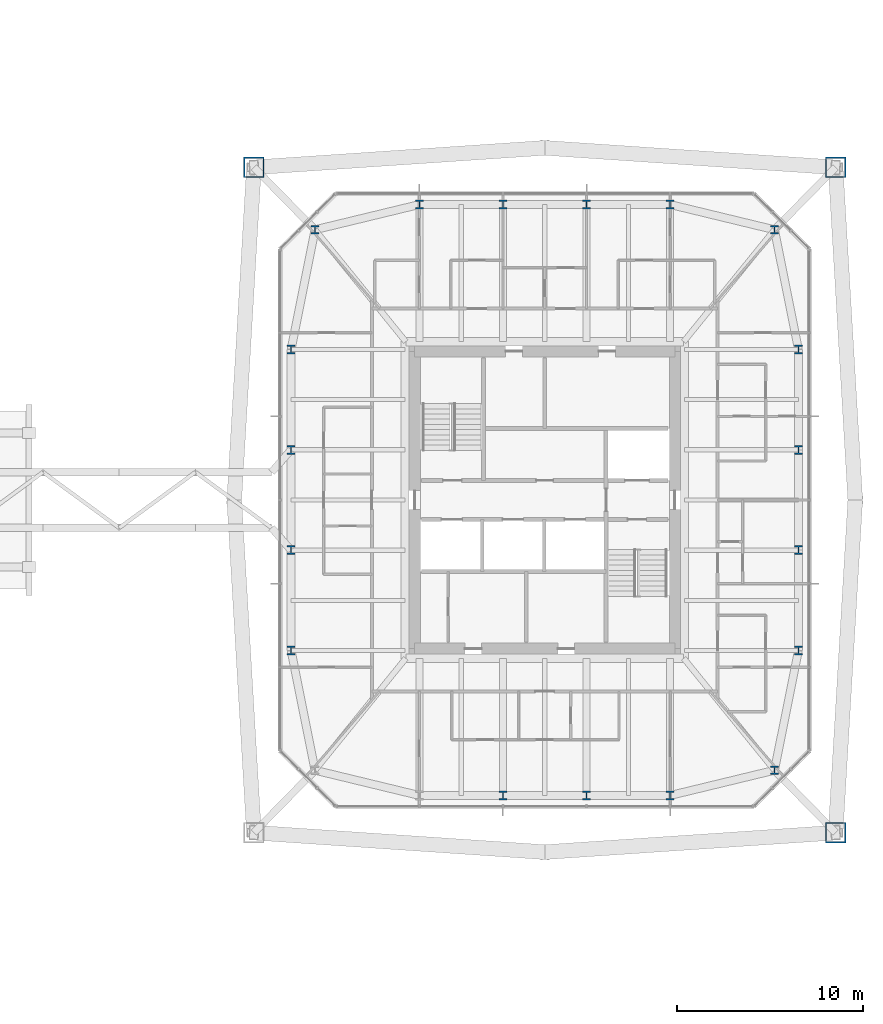
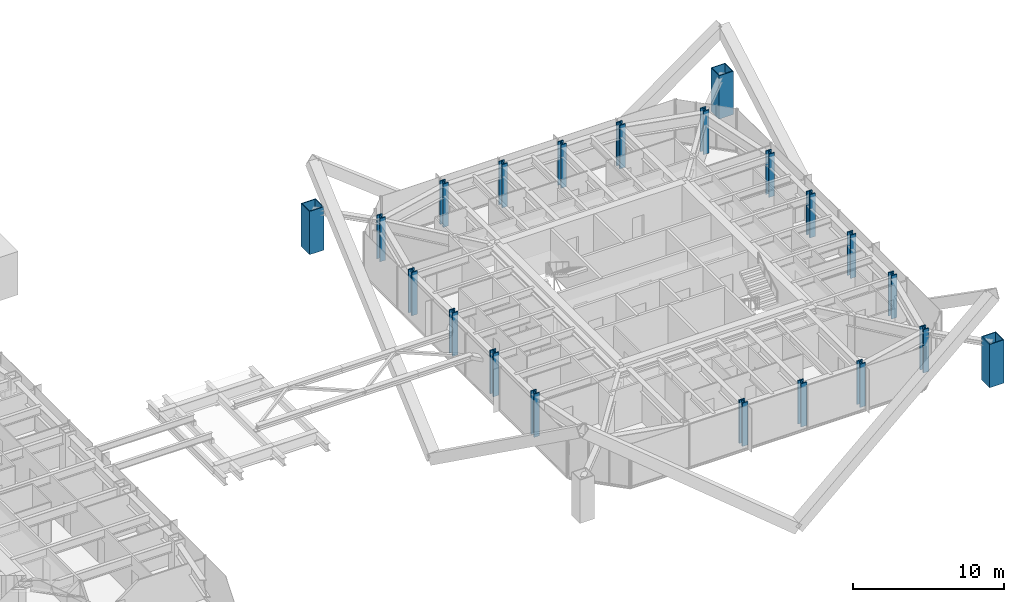
# One storey, part 2 of 27: 21 columns.
"""IFC4 building model written with IfcOpenShell, lengths in metres."""

from ifc_helpers import new_model, si_unit, direction, frame, origin, origin_2d, place, context, subcontext, project, spatial, hollow_rectangle, i_section, extrude, material, material_profile, profile_set, type_object, element, save


model = new_model("IFC4")

# Units and contexts
model_context = context("Model", 3, precision=1e-05, world=origin(), true_north=direction((0.0, 1.0)))
body_context = subcontext(model_context, "Body", "Model", "MODEL_VIEW")
ifc_project = project(units=[si_unit("LENGTHUNIT", "METRE"), si_unit("AREAUNIT", "SQUARE_METRE"), si_unit("VOLUMEUNIT", "CUBIC_METRE"), si_unit("PLANEANGLEUNIT", "RADIAN"), si_unit("MASSUNIT", "GRAM", prefix="KILO")], contexts=[model_context])

# Site, building, storey
site_placement = place(None, origin())
site = spatial("IfcSite", under=ifc_project, at=site_placement, CompositionType="ELEMENT")
building_placement = place(site_placement, origin())
building = spatial("IfcBuilding", under=site, at=building_placement, Name="Iwan Alto Co-Living Towers", CompositionType="ELEMENT")
storey_placement = place(building_placement, frame((0.0, 0.0, 94.5)))
storey = spatial("IfcBuildingStorey", under=building, at=storey_placement, Name="L25", CompositionType="ELEMENT", Elevation=94.5)

# Columns
ifc_material_1 = material(Name="Steel ASTM A572 Gr 50", Category="steel")
ifc_material_profile_1 = material_profile(ifc_material_1, hollow_rectangle(XDim=1.10009765625, YDim=1.10009765625, WallThickness=0.06005859375, at=origin_2d()), Name="BOX 1100X1100X60")
ifc_profile_set_1 = profile_set([ifc_material_profile_1], Name="Steel ASTM A572 Gr 50")
column_type_1 = type_object("IfcColumnType", Name="T2 MEGA COLUMN BOX 1100X1100X60", PredefinedType="COLUMN", material=ifc_profile_set_1)
for number, where, z_axis, x_axis, name in (
    (1, (78.64990234375, -17.89990234375, 0.0), (0.0, 0.0, 1.0), (1.0, 0.0, 0.0), "T2 mega column SE L25"),
    (2, (78.64990234375, 17.89990234375, 0.0), (0.0, 0.0, 1.0), (1.0, 0.0, 0.0), "T2 mega column NE L25"),
    (3, (47.35009765625, 17.89990234375, 0.0), (0.0, 0.0, 1.0), (1.0, 0.0, 0.0), "T2 mega column NW L25"),
):
    element("IfcColumn", number, at=place(storey_placement, frame(where, z_axis=z_axis, x_axis=x_axis)), inside=storey, type_object=column_type_1, Name=name, PredefinedType="COLUMN", context=body_context, shape_type="SweptSolid", body=[
        extrude(hollow_rectangle(XDim=1.10009765625, YDim=1.10009765625, WallThickness=0.06005859375, at=origin_2d()), origin(), (0.0, 0.0, 1.0), 3.5),
    ])
ifc_material_2 = material(Name="Steel ASTM A992 Gr 50", Category="steel")
ifc_material_profile_2 = material_profile(ifc_material_2, i_section(OverallWidth=0.4267578125, OverallDepth=0.482666015625, WebThickness=0.05126953125, FlangeThickness=0.08154296875, at=origin_2d()), Name="W14X455")
ifc_profile_set_2 = profile_set([ifc_material_profile_2], Name="Steel ASTM A992 Gr 50")
column_type_2 = type_object("IfcColumnType", Name="T2 RING COLUMN W14X455", PredefinedType="COLUMN", material=ifc_profile_set_2)
for number, where, z_axis, x_axis, name in (
    (4, (60.75, -15.89990234375, 0.0), (0.0, 0.0, 1.0), (1.0, 0.0, 0.0), "T2 ring column S2 L25"),
    (5, (65.25, -15.89990234375, 0.0), (0.0, 0.0, 1.0), (1.0, 0.0, 0.0), "T2 ring column S3 L25"),
    (6, (69.75, -15.89990234375, 0.0), (0.0, 0.0, 1.0), (1.0, 0.0, 0.0), "T2 ring column S4 L25"),
    (7, (75.361328125, -14.542724609375, 0.0), (0.0, 0.0, 1.0), (1.0, 0.0, 0.0), "T2 ring column CSE L25"),
    (8, (76.64990234375, -8.10009765625, 0.0), (0.0, 0.0, 1.0), (1.0, 0.0, 0.0), "T2 ring column E1 L25"),
    (9, (76.64990234375, -2.699951171875, 0.0), (0.0, 0.0, 1.0), (1.0, 0.0, 0.0), "T2 ring column E2 L25"),
    (10, (76.64990234375, 2.699951171875, 0.0), (0.0, 0.0, 1.0), (1.0, 0.0, 0.0), "T2 ring column E3 L25"),
    (11, (76.64990234375, 8.10009765625, 0.0), (0.0, 0.0, 1.0), (1.0, 0.0, 0.0), "T2 ring column E4 L25"),
    (12, (75.361328125, 14.542724609375, 0.0), (0.0, 0.0, 1.0), (1.0, 0.0, 0.0), "T2 ring column CNE L25"),
    (13, (69.75, 15.89990234375, 0.0), (0.0, 0.0, 1.0), (1.0, 0.0, 0.0), "T2 ring column N1 L25"),
    (14, (65.25, 15.89990234375, 0.0), (0.0, 0.0, 1.0), (1.0, 0.0, 0.0), "T2 ring column N2 L25"),
    (15, (60.75, 15.89990234375, 0.0), (0.0, 0.0, 1.0), (1.0, 0.0, 0.0), "T2 ring column N3 L25"),
    (16, (56.25, 15.89990234375, 0.0), (0.0, 0.0, 1.0), (1.0, 0.0, 0.0), "T2 ring column N4 L25"),
    (17, (50.638671875, 14.542724609375, 0.0), (0.0, 0.0, 1.0), (1.0, 0.0, 0.0), "T2 ring column CNW L25"),
    (18, (49.35009765625, 8.10009765625, 0.0), (0.0, 0.0, 1.0), (1.0, 0.0, 0.0), "T2 ring column W1 L25"),
    (19, (49.35009765625, 2.699951171875, 0.0), (0.0, 0.0, 1.0), (1.0, 0.0, 0.0), "T2 ring column W2 L25"),
    (20, (49.35009765625, -2.699951171875, 0.0), (0.0, 0.0, 1.0), (1.0, 0.0, 0.0), "T2 ring column W3 L25"),
    (21, (49.35009765625, -8.10009765625, 0.0), (0.0, 0.0, 1.0), (1.0, 0.0, 0.0), "T2 ring column W4 L25"),
):
    element("IfcColumn", number, at=place(storey_placement, frame(where, z_axis=z_axis, x_axis=x_axis)), inside=storey, type_object=column_type_2, Name=name, PredefinedType="COLUMN", context=body_context, shape_type="SweptSolid", body=[
        extrude(i_section(OverallWidth=0.4267578125, OverallDepth=0.482666015625, WebThickness=0.05126953125, FlangeThickness=0.08154296875, at=origin_2d()), origin(), (0.0, 0.0, 1.0), 3.5),
    ])

save(model, "model.ifc")
